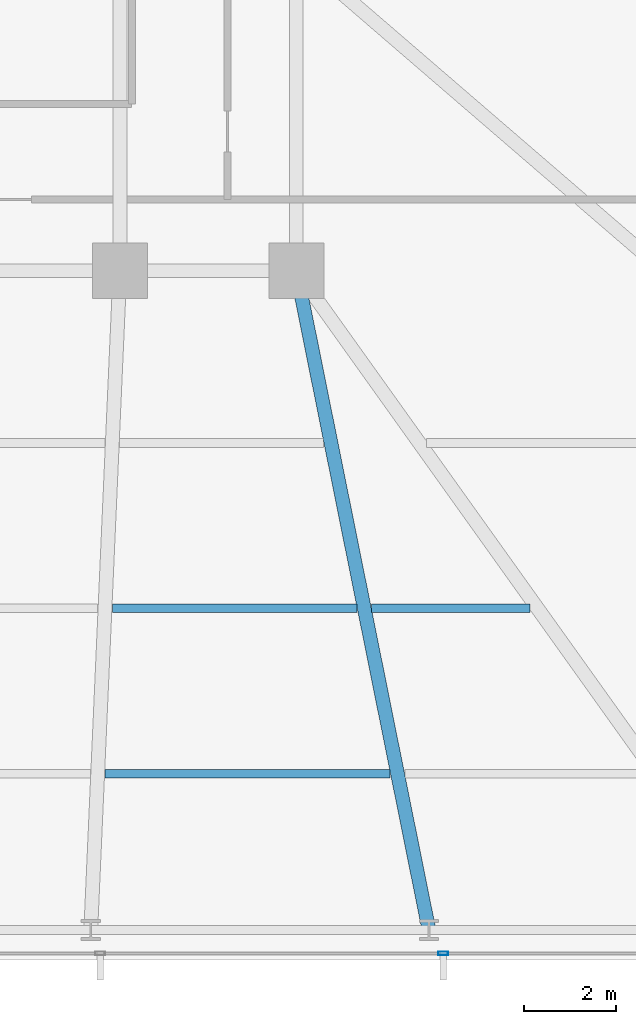
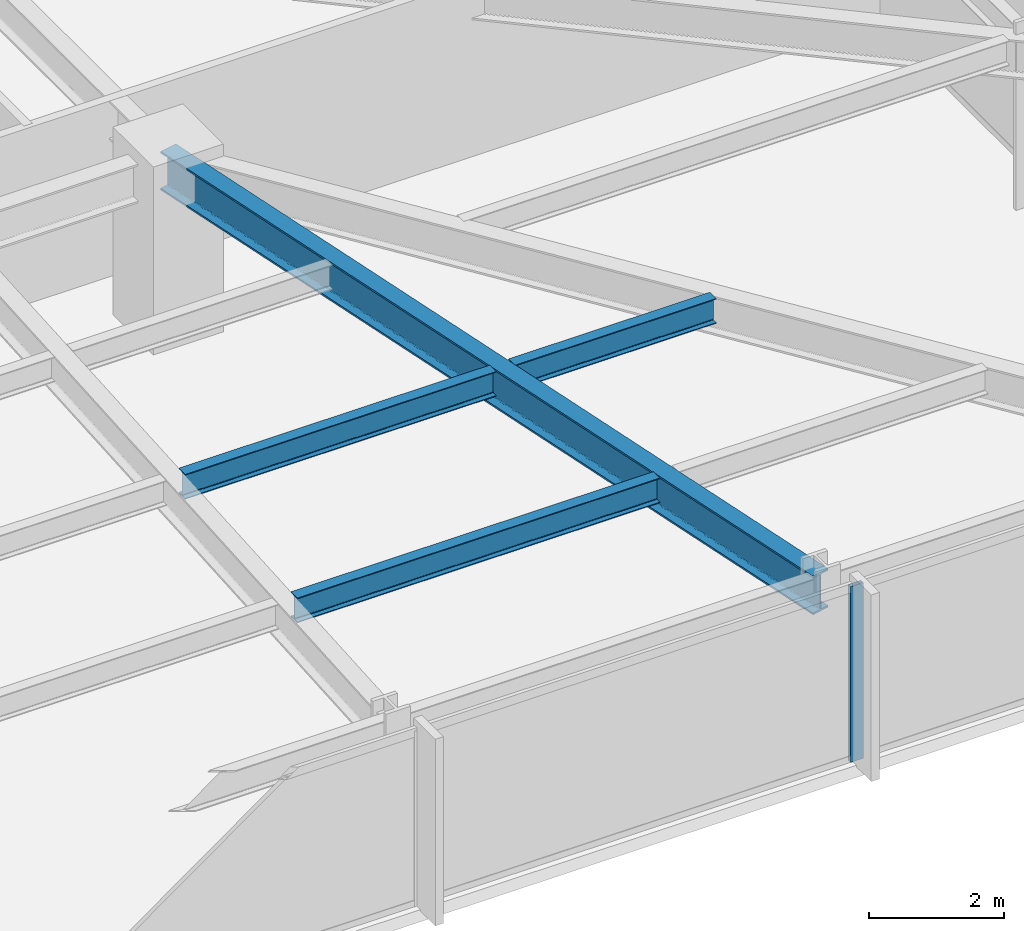
# One storey, part 14 of 32: 4 beams, 1 member, 1 element without a shape of its own.
"""IFC4 building model written with IfcOpenShell, lengths in metres."""

from ifc_helpers import new_model, si_unit, direction, frame, origin, origin_2d, place, context, subcontext, project, spatial, hollow_rectangle, i_section, extrude, material, material_profile, profile_set, type_object, element, aggregate, save


model = new_model("IFC4")

# Units and contexts
model_context = context("Model", 3, precision=1e-05, world=origin(), true_north=direction((0.0, 1.0)))
body_context = subcontext(model_context, "Body", "Model", "MODEL_VIEW")
ifc_project = project(units=[si_unit("LENGTHUNIT", "METRE"), si_unit("AREAUNIT", "SQUARE_METRE"), si_unit("VOLUMEUNIT", "CUBIC_METRE"), si_unit("PLANEANGLEUNIT", "RADIAN"), si_unit("MASSUNIT", "GRAM", prefix="KILO")], contexts=[model_context])

# Site, building, storey
site_placement = place(None, origin())
site = spatial("IfcSite", under=ifc_project, at=site_placement, CompositionType="ELEMENT")
building_placement = place(site_placement, origin())
building = spatial("IfcBuilding", under=site, at=building_placement, Name="Yelkora Congress Tower", CompositionType="ELEMENT")
storey_placement = place(building_placement, frame((0.0, 0.0, 57.60009765625)))
storey = spatial("IfcBuildingStorey", under=building, at=storey_placement, Name="L14", CompositionType="ELEMENT", Elevation=57.60009765625)

# Beams
ifc_material_1 = material(Name="Steel S355J2", Category="steel")
ifc_material_profile_1 = material_profile(ifc_material_1, i_section(OverallWidth=0.300048828125, OverallDepth=0.699951171875, WebThickness=0.01708984375, FlangeThickness=0.031982421875, FilletRadius=0.027099609375, at=origin_2d()), Name="HEB 700")
ifc_profile_set_1 = profile_set([ifc_material_profile_1], Name="Steel S355J2")
beam_type_1 = type_object("IfcBeamType", Name="BM-GIRD-HEB700", PredefinedType="BEAM", material=ifc_profile_set_1)
beam_1_placement = place(storey_placement, frame((60.487548828125, 10.85009765625, 2.829833984375), z_axis=(-0.197264295931, 0.980350344291, 0.0), x_axis=(-0.980350344291, -0.197264295931, 0.0)))
element("IfcBeam", 1, at=beam_1_placement, inside=storey, type_object=beam_type_1, Name="L14 Primary Frame Girder S08", PredefinedType="BEAM", context=body_context, shape_type="SweptSolid", body=[
    extrude(i_section(OverallWidth=0.300048828125, OverallDepth=0.699951171875, WebThickness=0.01708984375, FlangeThickness=0.031982421875, FilletRadius=0.027099609375, at=origin_2d()), origin(), (0.0, 0.0, 1.0), 14.637451171875),
])
ifc_material_profile_2 = material_profile(ifc_material_1, i_section(OverallWidth=0.18994140625, OverallDepth=0.449951171875, WebThickness=0.009521484375, FlangeThickness=0.0146484375, FilletRadius=0.02099609375, at=origin_2d()), Name="IPE 450")
ifc_profile_set_2 = profile_set([ifc_material_profile_2], Name="Steel S355J2")
beam_type_2 = type_object("IfcBeamType", Name="BM-JOIST-IPE450", PredefinedType="JOIST", material=ifc_profile_set_2)
beam_2_placement = place(storey_placement, frame((53.435546875, 14.25, 2.954833984375), z_axis=(1.0, 0.0, 0.0), x_axis=(0.0, 1.0, 0.0)))
element("IfcBeam", 2, at=beam_2_placement, inside=storey, type_object=beam_type_2, Name="L14 Composite Floor Joist 7", PredefinedType="JOIST", context=body_context, shape_type="SweptSolid", body=[
    extrude(i_section(OverallWidth=0.18994140625, OverallDepth=0.449951171875, WebThickness=0.009521484375, FlangeThickness=0.0146484375, FilletRadius=0.02099609375, at=origin_2d()), origin(), (0.0, 0.0, 1.0), 6.207763671875),
])
beam_3_placement = place(storey_placement, frame((53.5947265625, 17.85009765625, 2.954833984375), z_axis=(1.0, 0.0, 0.0), x_axis=(0.0, 1.0, 0.0)))
element("IfcBeam", 3, at=beam_3_placement, inside=storey, type_object=beam_type_2, Name="L14 Composite Floor Joist 15", PredefinedType="JOIST", context=body_context, shape_type="SweptSolid", body=[
    extrude(i_section(OverallWidth=0.18994140625, OverallDepth=0.449951171875, WebThickness=0.009521484375, FlangeThickness=0.0146484375, FilletRadius=0.02099609375, at=origin_2d()), origin(), (0.0, 0.0, 1.0), 5.32421875),
])
beam_4_placement = place(storey_placement, frame((59.239013671875, 17.85009765625, 2.954833984375), z_axis=(1.0, 0.0, 0.0), x_axis=(0.0, 1.0, 0.0)))
element("IfcBeam", 4, at=beam_4_placement, inside=storey, type_object=beam_type_2, Name="L14 Composite Floor Joist 16", PredefinedType="JOIST", context=body_context, shape_type="SweptSolid", body=[
    extrude(i_section(OverallWidth=0.18994140625, OverallDepth=0.449951171875, WebThickness=0.009521484375, FlangeThickness=0.0146484375, FilletRadius=0.02099609375, at=origin_2d()), origin(), (0.0, 0.0, 1.0), 3.450927734375),
])

# Curtain wall, member
ifc_material_2 = material(Name="Anodised aluminium and insulated glass", Category="aluminium")
curtain_wall_type = type_object("IfcCurtainWallType", Name="CW-SYS-B1", PredefinedType="NOTDEFINED", material=ifc_material_2)
curtain_wall_placement = place(storey_placement, origin())
curtain_wall = element("IfcCurtainWall", 5, at=curtain_wall_placement, inside=storey, type_object=curtain_wall_type, Name="L14 Unitised Curtain Wall 20", PredefinedType="NOTDEFINED")
ifc_material_3 = material(Name="Anodised aluminium 6063-T6", Category="aluminium")
ifc_material_profile_3 = material_profile(ifc_material_3, hollow_rectangle(XDim=0.074951171875, YDim=0.219970703125, WallThickness=0.0048828125, at=origin_2d()), Name="ALU 75x220x5")
ifc_profile_set_3 = profile_set([ifc_material_profile_3], Name="Anodised aluminium 6063-T6")
member_type = type_object("IfcMemberType", Name="MEM-ML-B1", PredefinedType="MULLION", material=ifc_profile_set_3)
member_placement = place(storey_placement, frame((60.794921875, 10.340087890625, 0.0), z_axis=(0.0, 0.0, 1.0), x_axis=(0.0, -1.0, 0.0)))
member = element("IfcMember", 6, at=member_placement, type_object=member_type, Name="CW-B1 mullion 2", PredefinedType="MULLION", context=body_context, shape_type="SweptSolid", body=[
    extrude(hollow_rectangle(XDim=0.074951171875, YDim=0.219970703125, WallThickness=0.0048828125, at=origin_2d()), origin(), (0.0, 0.0, 1.0), 3.179931640625),
])
aggregate(curtain_wall, [member])

save(model, "model.ifc")
